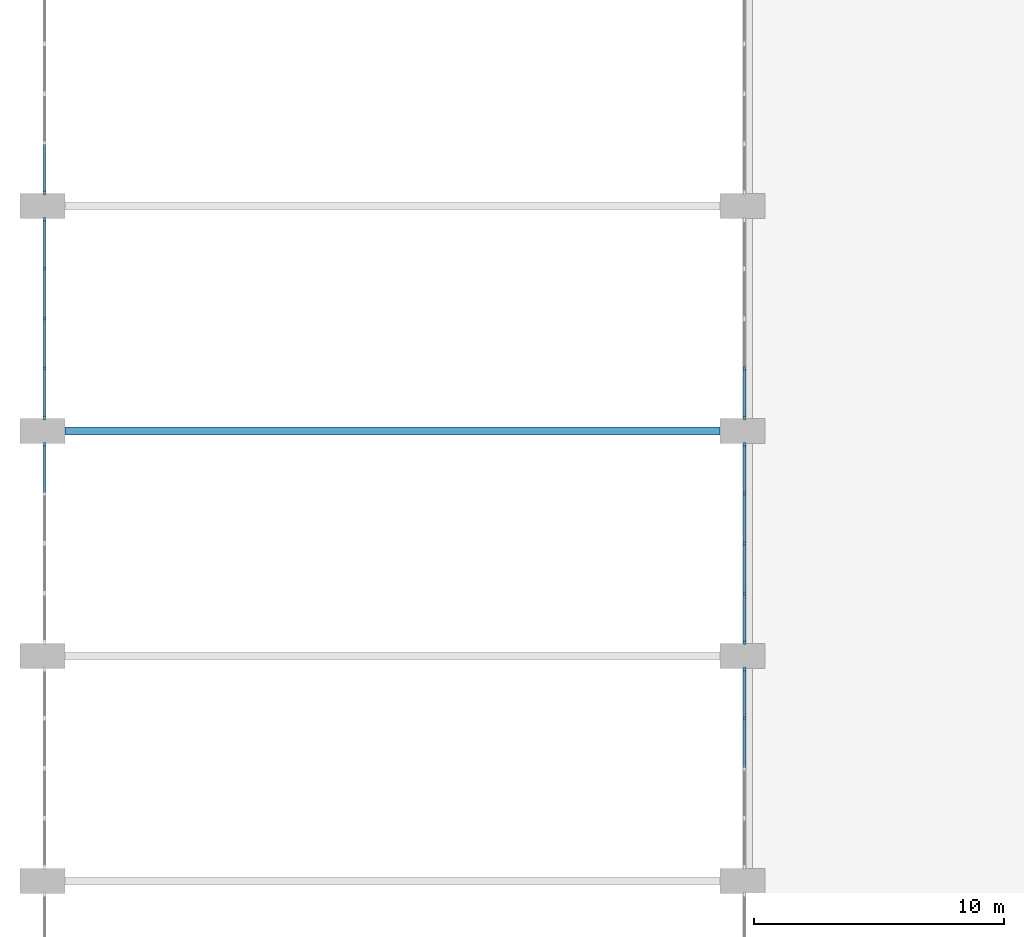
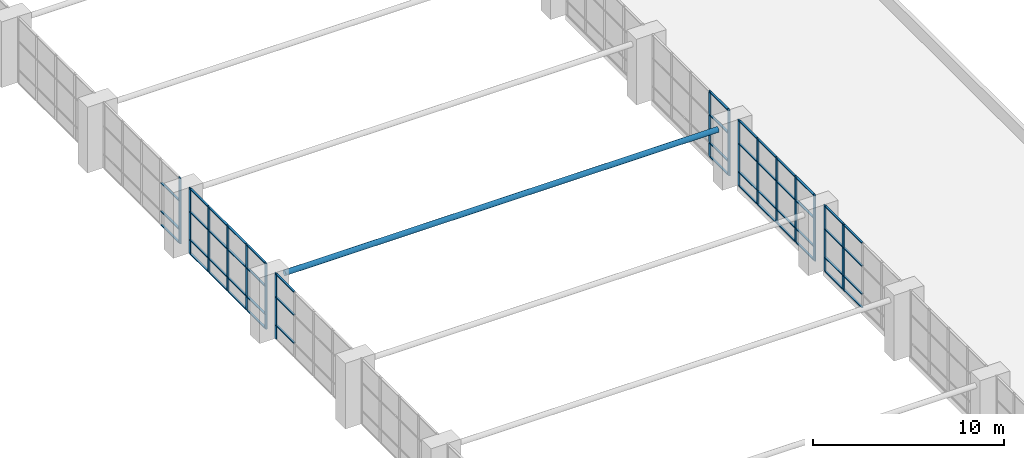
# One storey, part 4 of 21: 67 members, 6 elements without a shape of their own.
"""IFC4 building model written with IfcOpenShell, lengths in metres."""

import ifcopenshell
import ifcopenshell.guid

model = None  # the IFC model being written
_history = None  # IfcOwnerHistory: only IFC2X3 demands one
_inside = {}  # id of a spatial element -> (the spatial element, [elements in it])
_under = {}  # id of a project, library or spatial element -> (it, [spatial elements below it])
_declared = {}  # id of a project -> (the project, [libraries it declares])
_typed = {}  # id of a type object -> (the type object, [elements of that type])
_made_of = {}  # id of a material, layer set ... -> (it, [elements and type objects made of it])


def new_model(schema):
    """Start an empty IFC model of exactly this schema.

    Asked for "IFC4X3", IfcOpenShell would pick the latest addendum, in which some entities
    have other attributes; the version numbers below select the first issue.
    IFC2X3 requires an IfcOwnerHistory on every rooted entity: one is made here for all.
    """
    global model, _history
    if schema == "IFC4X3":
        model = ifcopenshell.file(schema_version=(4, 3, 0, 0))
    else:
        model = ifcopenshell.file(schema=schema)
    _inside.clear()
    _under.clear()
    _declared.clear()
    _typed.clear()
    _made_of.clear()
    _history = None
    if model.schema == "IFC2X3":
        org = make("IfcOrganization", Name="unknown")
        user = make(
            "IfcPersonAndOrganization",
            ThePerson=make("IfcPerson", FamilyName="unknown"),
            TheOrganization=org,
        )
        app = make(
            "IfcApplication",
            ApplicationDeveloper=org,
            Version="unknown",
            ApplicationFullName="unknown",
            ApplicationIdentifier="unknown",
        )
        _history = make(
            "IfcOwnerHistory",
            OwningUser=user,
            OwningApplication=app,
            ChangeAction="ADDED",
            CreationDate=0,
        )
    return model


def make(cls, **values):
    """One entity of the class cls with the attributes given. An attribute that is None is left unset."""
    return model.create_entity(
        cls, **{name: value for name, value in values.items() if value is not None}
    )


def rooted(cls, **values):
    """An entity with a GlobalId (a new one), such as an element, a storey or a relation."""
    return make(cls, GlobalId=ifcopenshell.guid.new(), OwnerHistory=_history, **values)


def si_unit(unit_type, name, prefix=None):
    """IfcSIUnit, for example si_unit("LENGTHUNIT", "METRE", prefix="MILLI")."""
    return make("IfcSIUnit", UnitType=unit_type, Prefix=prefix, Name=name)


def assignment(units):
    """IfcUnitAssignment: the units of a project."""
    return None if units is None else make("IfcUnitAssignment", Units=units)


def point(xyz):
    """IfcCartesianPoint."""
    return None if xyz is None else make("IfcCartesianPoint", Coordinates=xyz)


def direction(xyz):
    """IfcDirection."""
    return None if xyz is None else make("IfcDirection", DirectionRatios=xyz)


def frame(location, z_axis=None, x_axis=None):
    """IfcAxis2Placement3D, a coordinate frame: its origin and axes. An axis left out is left unset."""
    return make(
        "IfcAxis2Placement3D",
        Location=point(location),
        Axis=direction(z_axis),
        RefDirection=direction(x_axis),
    )


def frame_2d(location, x_axis=None):
    """IfcAxis2Placement2D, a coordinate frame in the plane: its origin and x axis."""
    return make(
        "IfcAxis2Placement2D", Location=point(location), RefDirection=direction(x_axis)
    )


def origin():
    """The frame at (0, 0, 0) with its axes left unset."""
    return frame((0.0, 0.0, 0.0))


def origin_2d():
    """The frame at (0, 0) in the plane with its x axis left unset."""
    return frame_2d((0.0, 0.0))


def place(relative_to, where):
    """IfcLocalPlacement: puts the frame where relative to a parent placement (None: the world)."""
    return make(
        "IfcLocalPlacement", PlacementRelTo=relative_to, RelativePlacement=where
    )


def context(
    kind, dimensions, precision=None, world=None, true_north=None, identifier=None
):
    """IfcGeometricRepresentationContext, for example the 3D "Model" context."""
    return make(
        "IfcGeometricRepresentationContext",
        ContextIdentifier=identifier,
        ContextType=kind,
        CoordinateSpaceDimension=dimensions,
        Precision=precision,
        WorldCoordinateSystem=world,
        TrueNorth=true_north,
    )


def subcontext(parent, identifier, kind, view, scale=None):
    """IfcGeometricRepresentationSubContext, for example "Body" below "Model"."""
    return make(
        "IfcGeometricRepresentationSubContext",
        ContextIdentifier=identifier,
        ContextType=kind,
        ParentContext=parent,
        TargetScale=scale,
        TargetView=view,
    )


def project(units=None, contexts=None):
    """IfcProject with its units and contexts."""
    return rooted(
        "IfcProject",
        Name="project",
        RepresentationContexts=contexts,
        UnitsInContext=assignment(units),
    )


def spatial(cls, under=None, at=None, **own):
    """A site, building, storey or space (cls), placed at a placement, below another one or the project."""
    s = rooted(cls, ObjectPlacement=at, **own)
    if under is not None:
        _under.setdefault(under.id(), (under, []))[1].append(s)
    return s


def profile(cls, at=None, kind="AREA", **sizes):
    """A parametric profile (cls). Its sizes go by their IFC names, for example OverallWidth=200.0."""
    return make(cls, ProfileType=kind, Position=at, **sizes)


def rectangle(**sizes):
    """IfcRectangleProfileDef."""
    return profile("IfcRectangleProfileDef", **sizes)


def hollow_circle(**sizes):
    """IfcCircleHollowProfileDef."""
    return profile("IfcCircleHollowProfileDef", **sizes)


def extrude(swept, where, along, depth):
    """IfcExtrudedAreaSolid: the profile swept, set in the frame where, extruded along a direction by depth."""
    return make(
        "IfcExtrudedAreaSolid",
        SweptArea=swept,
        Position=where,
        ExtrudedDirection=direction(along),
        Depth=depth,
    )


def shape(context_of_items, identifier, shape_type, items):
    """IfcShapeRepresentation: the items that make up one representation, for example the "Body"."""
    return make(
        "IfcShapeRepresentation",
        ContextOfItems=context_of_items,
        RepresentationIdentifier=identifier,
        RepresentationType=shape_type,
        Items=items,
    )


def material(Name=None, Category=None):
    """IfcMaterial."""
    return make("IfcMaterial", Name=Name, Category=Category)


def material_profile(
    of_material, cross_section, Name=None, Category=None, Priority=None
):
    """IfcMaterialProfile: a cross section and its material."""
    return make(
        "IfcMaterialProfile",
        Name=Name,
        Material=of_material,
        Profile=cross_section,
        Priority=Priority,
        Category=Category,
    )


def profile_set(profiles, Name=None, composite=None):
    """IfcMaterialProfileSet."""
    return make(
        "IfcMaterialProfileSet",
        Name=Name,
        MaterialProfiles=profiles,
        CompositeProfile=composite,
    )


def made_of(thing, what):
    """Note that an element or type object is made of a material, layer set ...; save() writes the relation."""
    if what is not None:
        _made_of.setdefault(what.id(), (what, []))[1].append(thing)
    return thing


def type_object(cls, material=None, **own):
    """A type object (cls), such as IfcWallType, which elements share."""
    return made_of(rooted(cls, **own), material)


def element(
    cls,
    number,
    at=None,
    inside=None,
    cuts=None,
    type_object=None,
    material=None,
    context=None,
    identifier="Body",
    shape_type=None,
    held_by="IfcProductDefinitionShape",
    body=None,
    shapes=None,
    **own,
):
    """One element of the class cls, such as IfcWall. Its Tag is "e" and its number.

    at: its placement. inside: the storey or other place that contains it. cuts: it is an
    opening in that element (IfcRelVoidsElement). A single representation is given by context,
    identifier, shape_type and body (its items); several are given by shapes. held_by: the class
    of the entity that holds the representations. save() writes the other relations.
    """
    e = rooted(cls, Tag="e%d" % number, ObjectPlacement=at, **own)
    if body is not None:
        shapes = [shape(context, identifier, shape_type, body)]
    if shapes is not None:
        e.Representation = make(held_by, Representations=shapes)
    if inside is not None:
        _inside.setdefault(inside.id(), (inside, []))[1].append(e)
    if cuts is not None:
        rooted(
            "IfcRelVoidsElement", RelatingBuildingElement=cuts, RelatedOpeningElement=e
        )
    if type_object is not None:
        _typed.setdefault(type_object.id(), (type_object, []))[1].append(e)
    return made_of(e, material)


def aggregate(whole, parts):
    """IfcRelAggregates: a whole, such as a stair, and the parts it consists of."""
    return rooted("IfcRelAggregates", RelatingObject=whole, RelatedObjects=parts)


def save(model, path):
    """Write the relations noted so far, then the file.

    IfcRelAggregates (storeys below a building ...), IfcRelContainedInSpatialStructure (elements
    in a storey), IfcRelDefinesByType, IfcRelAssociatesMaterial and IfcRelDeclares: one each for
    every whole, place, type object, material and project.
    """
    for whole, parts in _under.values():
        aggregate(whole, parts)
    for where, things in _inside.values():
        rooted(
            "IfcRelContainedInSpatialStructure",
            RelatedElements=things,
            RelatingStructure=where,
        )
    for kind, things in _typed.values():
        rooted("IfcRelDefinesByType", RelatedObjects=things, RelatingType=kind)
    for what, things in _made_of.values():
        rooted("IfcRelAssociatesMaterial", RelatedObjects=things, RelatingMaterial=what)
    for by, libraries in _declared.values():
        rooted("IfcRelDeclares", RelatingContext=by, RelatedDefinitions=libraries)
    model.write(path)


model = new_model("IFC4")

# Units and contexts
model_context = context("Model", 3, precision=1e-05, world=origin(), true_north=direction((0.0, 1.0)))
body_context = subcontext(model_context, "Body", "Model", "MODEL_VIEW")
ifc_project = project(units=[si_unit("LENGTHUNIT", "METRE"), si_unit("AREAUNIT", "SQUARE_METRE"), si_unit("VOLUMEUNIT", "CUBIC_METRE"), si_unit("PLANEANGLEUNIT", "RADIAN"), si_unit("MASSUNIT", "GRAM", prefix="KILO")], contexts=[model_context])

# Site, building, storey
site_placement = place(None, origin())
site = spatial("IfcSite", under=ifc_project, at=site_placement, CompositionType="ELEMENT")
building_placement = place(site_placement, origin())
building = spatial("IfcBuilding", under=site, at=building_placement, Name="Elmora Arch Market Hall", CompositionType="ELEMENT")
storey_placement = place(building_placement, frame((0.0, 0.0, 14.39990234375)))
storey = spatial("IfcBuildingStorey", under=building, at=storey_placement, Name="L03", CompositionType="ELEMENT", Elevation=14.39990234375)

# Curtain wall, member
ifc_material_1 = material(Name="Aluminium", Category="aluminium")
curtain_wall_type = type_object("IfcCurtainWallType", Name="Hall front curtain wall", PredefinedType="NOTDEFINED", material=ifc_material_1)
curtain_wall_1_placement = place(storey_placement, origin())
curtain_wall_1 = element("IfcCurtainWall", 1, at=curtain_wall_1_placement, inside=storey, type_object=curtain_wall_type, Name="Hall west glazing L03 4", PredefinedType="NOTDEFINED")
ifc_material_2 = material(Name="Aluminium", Category="aluminium")
ifc_material_profile_1 = material_profile(ifc_material_2, rectangle(XDim=0.080078125, YDim=0.179931640625, at=origin_2d()), Name="AL 80x180")
ifc_profile_set_1 = profile_set([ifc_material_profile_1], Name="Aluminium")
member_type_1 = type_object("IfcMemberType", Name="Mullion 80x180", PredefinedType="MULLION", material=ifc_profile_set_1)
member_1_placement = place(storey_placement, frame((15.090087890625, 62.4599609375, 0.0), z_axis=(0.0, 0.0, 1.0), x_axis=(-1.0, 0.0, 0.0)))
member_1 = element("IfcMember", 2, at=member_1_placement, type_object=member_type_1, Name="CW2 mullion 5", PredefinedType="MULLION", context=body_context, shape_type="SweptSolid", body=[
    extrude(rectangle(XDim=0.080078125, YDim=0.179931640625, at=origin_2d()), origin(), (0.0, 0.0, 1.0), 4.2001953125),
])

# Curtain wall, members
curtain_wall_2_placement = place(storey_placement, origin())
curtain_wall_2 = element("IfcCurtainWall", 3, at=curtain_wall_2_placement, inside=storey, type_object=curtain_wall_type, Name="Hall west glazing L03 5", PredefinedType="NOTDEFINED")
member_2_placement = place(storey_placement, frame((15.090087890625, 63.5400390625, 0.0), z_axis=(0.0, 0.0, 1.0), x_axis=(-1.0, 0.0, 0.0)))
member_2 = element("IfcMember", 4, at=member_2_placement, type_object=member_type_1, Name="CW2 mullion 1", PredefinedType="MULLION", context=body_context, shape_type="SweptSolid", body=[
    extrude(rectangle(XDim=0.080078125, YDim=0.179931640625, at=origin_2d()), origin(), (0.0, 0.0, 1.0), 4.2001953125),
])
member_3_placement = place(storey_placement, frame((15.090087890625, 65.5, 0.0), z_axis=(0.0, 0.0, 1.0), x_axis=(-1.0, 0.0, 0.0)))
member_3 = element("IfcMember", 5, at=member_3_placement, type_object=member_type_1, Name="CW2 mullion 2", PredefinedType="MULLION", context=body_context, shape_type="SweptSolid", body=[
    extrude(rectangle(XDim=0.080078125, YDim=0.179931640625, at=origin_2d()), origin(), (0.0, 0.0, 1.0), 4.2001953125),
])
member_4_placement = place(storey_placement, frame((15.090087890625, 67.5, 0.0), z_axis=(0.0, 0.0, 1.0), x_axis=(-1.0, 0.0, 0.0)))
member_4 = element("IfcMember", 6, at=member_4_placement, type_object=member_type_1, Name="CW2 mullion 3", PredefinedType="MULLION", context=body_context, shape_type="SweptSolid", body=[
    extrude(rectangle(XDim=0.080078125, YDim=0.179931640625, at=origin_2d()), origin(), (0.0, 0.0, 1.0), 4.2001953125),
])
member_5_placement = place(storey_placement, frame((15.090087890625, 69.5, 0.0), z_axis=(0.0, 0.0, 1.0), x_axis=(-1.0, 0.0, 0.0)))
member_5 = element("IfcMember", 7, at=member_5_placement, type_object=member_type_1, Name="CW2 mullion 4", PredefinedType="MULLION", context=body_context, shape_type="SweptSolid", body=[
    extrude(rectangle(XDim=0.080078125, YDim=0.179931640625, at=origin_2d()), origin(), (0.0, 0.0, 1.0), 4.2001953125),
])
member_6_placement = place(storey_placement, frame((15.090087890625, 71.4599609375, 0.0), z_axis=(0.0, 0.0, 1.0), x_axis=(-1.0, 0.0, 0.0)))
member_6 = element("IfcMember", 8, at=member_6_placement, type_object=member_type_1, Name="CW2 mullion 5", PredefinedType="MULLION", context=body_context, shape_type="SweptSolid", body=[
    extrude(rectangle(XDim=0.080078125, YDim=0.179931640625, at=origin_2d()), origin(), (0.0, 0.0, 1.0), 4.2001953125),
])

# Curtain wall, member
curtain_wall_3_placement = place(storey_placement, origin())
curtain_wall_3 = element("IfcCurtainWall", 9, at=curtain_wall_3_placement, inside=storey, type_object=curtain_wall_type, Name="Hall west glazing L03 6", PredefinedType="NOTDEFINED")
member_7_placement = place(storey_placement, frame((15.090087890625, 72.5400390625, 0.0), z_axis=(0.0, 0.0, 1.0), x_axis=(-1.0, 0.0, 0.0)))
member_7 = element("IfcMember", 10, at=member_7_placement, type_object=member_type_1, Name="CW2 mullion 1", PredefinedType="MULLION", context=body_context, shape_type="SweptSolid", body=[
    extrude(rectangle(XDim=0.080078125, YDim=0.179931640625, at=origin_2d()), origin(), (0.0, 0.0, 1.0), 4.2001953125),
])

# Curtain wall, members
curtain_wall_4_placement = place(storey_placement, origin())
curtain_wall_4 = element("IfcCurtainWall", 11, at=curtain_wall_4_placement, inside=storey, type_object=curtain_wall_type, Name="Hall east glazing L03 3", PredefinedType="NOTDEFINED")
member_8_placement = place(storey_placement, frame((43.090087890625, 51.5, 0.0), z_axis=(0.0, 0.0, 1.0), x_axis=(-1.0, 0.0, 0.0)))
member_8 = element("IfcMember", 12, at=member_8_placement, type_object=member_type_1, Name="CW2 mullion 4", PredefinedType="MULLION", context=body_context, shape_type="SweptSolid", body=[
    extrude(rectangle(XDim=0.080078125, YDim=0.179931640625, at=origin_2d()), origin(), (0.0, 0.0, 1.0), 4.2001953125),
])
member_9_placement = place(storey_placement, frame((43.090087890625, 53.4599609375, 0.0), z_axis=(0.0, 0.0, 1.0), x_axis=(-1.0, 0.0, 0.0)))
member_9 = element("IfcMember", 13, at=member_9_placement, type_object=member_type_1, Name="CW2 mullion 5", PredefinedType="MULLION", context=body_context, shape_type="SweptSolid", body=[
    extrude(rectangle(XDim=0.080078125, YDim=0.179931640625, at=origin_2d()), origin(), (0.0, 0.0, 1.0), 4.2001953125),
])

curtain_wall_5_placement = place(storey_placement, origin())
curtain_wall_5 = element("IfcCurtainWall", 14, at=curtain_wall_5_placement, inside=storey, type_object=curtain_wall_type, Name="Hall east glazing L03 4", PredefinedType="NOTDEFINED")
member_10_placement = place(storey_placement, frame((43.090087890625, 54.5400390625, 0.0), z_axis=(0.0, 0.0, 1.0), x_axis=(-1.0, 0.0, 0.0)))
member_10 = element("IfcMember", 15, at=member_10_placement, type_object=member_type_1, Name="CW2 mullion 1", PredefinedType="MULLION", context=body_context, shape_type="SweptSolid", body=[
    extrude(rectangle(XDim=0.080078125, YDim=0.179931640625, at=origin_2d()), origin(), (0.0, 0.0, 1.0), 4.2001953125),
])
member_11_placement = place(storey_placement, frame((43.090087890625, 56.5, 0.0), z_axis=(0.0, 0.0, 1.0), x_axis=(-1.0, 0.0, 0.0)))
member_11 = element("IfcMember", 16, at=member_11_placement, type_object=member_type_1, Name="CW2 mullion 2", PredefinedType="MULLION", context=body_context, shape_type="SweptSolid", body=[
    extrude(rectangle(XDim=0.080078125, YDim=0.179931640625, at=origin_2d()), origin(), (0.0, 0.0, 1.0), 4.2001953125),
])
member_12_placement = place(storey_placement, frame((43.090087890625, 58.5, 0.0), z_axis=(0.0, 0.0, 1.0), x_axis=(-1.0, 0.0, 0.0)))
member_12 = element("IfcMember", 17, at=member_12_placement, type_object=member_type_1, Name="CW2 mullion 3", PredefinedType="MULLION", context=body_context, shape_type="SweptSolid", body=[
    extrude(rectangle(XDim=0.080078125, YDim=0.179931640625, at=origin_2d()), origin(), (0.0, 0.0, 1.0), 4.2001953125),
])
member_13_placement = place(storey_placement, frame((43.090087890625, 60.5, 0.0), z_axis=(0.0, 0.0, 1.0), x_axis=(-1.0, 0.0, 0.0)))
member_13 = element("IfcMember", 18, at=member_13_placement, type_object=member_type_1, Name="CW2 mullion 4", PredefinedType="MULLION", context=body_context, shape_type="SweptSolid", body=[
    extrude(rectangle(XDim=0.080078125, YDim=0.179931640625, at=origin_2d()), origin(), (0.0, 0.0, 1.0), 4.2001953125),
])
member_14_placement = place(storey_placement, frame((43.090087890625, 62.4599609375, 0.0), z_axis=(0.0, 0.0, 1.0), x_axis=(-1.0, 0.0, 0.0)))
member_14 = element("IfcMember", 19, at=member_14_placement, type_object=member_type_1, Name="CW2 mullion 5", PredefinedType="MULLION", context=body_context, shape_type="SweptSolid", body=[
    extrude(rectangle(XDim=0.080078125, YDim=0.179931640625, at=origin_2d()), origin(), (0.0, 0.0, 1.0), 4.2001953125),
])

curtain_wall_6_placement = place(storey_placement, origin())
curtain_wall_6 = element("IfcCurtainWall", 20, at=curtain_wall_6_placement, inside=storey, type_object=curtain_wall_type, Name="Hall east glazing L03 5", PredefinedType="NOTDEFINED")
member_15_placement = place(storey_placement, frame((43.090087890625, 63.5400390625, 0.0), z_axis=(0.0, 0.0, 1.0), x_axis=(-1.0, 0.0, 0.0)))
member_15 = element("IfcMember", 21, at=member_15_placement, type_object=member_type_1, Name="CW2 mullion 1", PredefinedType="MULLION", context=body_context, shape_type="SweptSolid", body=[
    extrude(rectangle(XDim=0.080078125, YDim=0.179931640625, at=origin_2d()), origin(), (0.0, 0.0, 1.0), 4.2001953125),
])
member_16_placement = place(storey_placement, frame((43.090087890625, 65.5, 0.0), z_axis=(0.0, 0.0, 1.0), x_axis=(-1.0, 0.0, 0.0)))
member_16 = element("IfcMember", 22, at=member_16_placement, type_object=member_type_1, Name="CW2 mullion 2", PredefinedType="MULLION", context=body_context, shape_type="SweptSolid", body=[
    extrude(rectangle(XDim=0.080078125, YDim=0.179931640625, at=origin_2d()), origin(), (0.0, 0.0, 1.0), 4.2001953125),
])

# Member
ifc_material_3 = material(Name="Steel ASTM A500 Gr C", Category="steel")
ifc_material_profile_2 = material_profile(ifc_material_3, hollow_circle(Radius=0.161865234375, WallThickness=0.0126953125, at=origin_2d()), Name="Tie rod")
ifc_profile_set_2 = profile_set([ifc_material_profile_2], Name="Steel ASTM A500 Gr C")
member_type_2 = type_object("IfcMemberType", Name="Tie rod", PredefinedType="USERDEFINED", material=ifc_profile_set_2)
member_17_placement = place(storey_placement, frame((15.89990234375, 63.0, 3.60009765625), z_axis=(1.0, 0.0, 0.0), x_axis=(0.0, 1.0, 0.0)))
element("IfcMember", 23, at=member_17_placement, inside=storey, type_object=member_type_2, Name="Tie rod 05", ObjectType="TIE ROD", PredefinedType="USERDEFINED", context=body_context, shape_type="SweptSolid", body=[
    extrude(hollow_circle(Radius=0.161865234375, WallThickness=0.0126953125, at=origin_2d()), origin(), (0.0, 0.0, 1.0), 26.2001953125),
])

ifc_material_4 = material(Name="Aluminium", Category="aluminium")
ifc_material_profile_3 = material_profile(ifc_material_4, rectangle(XDim=0.1201171875, YDim=0.06005859375, at=origin_2d()), Name="AL 120x60")
ifc_profile_set_3 = profile_set([ifc_material_profile_3], Name="Aluminium")
member_type_3 = type_object("IfcMemberType", Name="Transom 120x60", PredefinedType="USERDEFINED", material=ifc_profile_set_3)
member_18_placement = place(storey_placement, frame((15.090087890625, 60.5400390625, 0.900146484375), z_axis=(0.0, 1.0, 0.0), x_axis=(-1.0, 0.0, 0.0)))
member_18 = element("IfcMember", 24, at=member_18_placement, type_object=member_type_3, Name="CW2 transom 4.2", ObjectType="TRANSOM", PredefinedType="USERDEFINED", context=body_context, shape_type="SweptSolid", body=[
    extrude(rectangle(XDim=0.1201171875, YDim=0.06005859375, at=origin_2d()), origin(), (0.0, 0.0, 1.0), 1.8798828125),
])

member_19_placement = place(storey_placement, frame((15.090087890625, 60.5400390625, 2.7001953125), z_axis=(0.0, 1.0, 0.0), x_axis=(-1.0, 0.0, 0.0)))
member_19 = element("IfcMember", 25, at=member_19_placement, type_object=member_type_3, Name="CW2 transom 4.3", ObjectType="TRANSOM", PredefinedType="USERDEFINED", context=body_context, shape_type="SweptSolid", body=[
    extrude(rectangle(XDim=0.1201171875, YDim=0.06005859375, at=origin_2d()), origin(), (0.0, 0.0, 1.0), 1.8798828125),
])

member_20_placement = place(storey_placement, frame((15.090087890625, 60.5400390625, 4.170166015625), z_axis=(0.0, 1.0, 0.0), x_axis=(-1.0, 0.0, 0.0)))
member_20 = element("IfcMember", 26, at=member_20_placement, type_object=member_type_3, Name="CW2 transom 4.4", ObjectType="TRANSOM", PredefinedType="USERDEFINED", context=body_context, shape_type="SweptSolid", body=[
    extrude(rectangle(XDim=0.1201171875, YDim=0.06005859375, at=origin_2d()), origin(), (0.0, 0.0, 1.0), 1.8798828125),
])

aggregate(curtain_wall_1, [member_1, member_18, member_19, member_20])

member_21_placement = place(storey_placement, frame((15.090087890625, 63.580078125, 0.030029296875), z_axis=(0.0, 1.0, 0.0), x_axis=(-1.0, 0.0, 0.0)))
member_21 = element("IfcMember", 27, at=member_21_placement, type_object=member_type_3, Name="CW2 transom 1.1", ObjectType="TRANSOM", PredefinedType="USERDEFINED", context=body_context, shape_type="SweptSolid", body=[
    extrude(rectangle(XDim=0.1201171875, YDim=0.06005859375, at=origin_2d()), origin(), (0.0, 0.0, 1.0), 1.8798828125),
])

member_22_placement = place(storey_placement, frame((15.090087890625, 63.580078125, 0.900146484375), z_axis=(0.0, 1.0, 0.0), x_axis=(-1.0, 0.0, 0.0)))
member_22 = element("IfcMember", 28, at=member_22_placement, type_object=member_type_3, Name="CW2 transom 1.2", ObjectType="TRANSOM", PredefinedType="USERDEFINED", context=body_context, shape_type="SweptSolid", body=[
    extrude(rectangle(XDim=0.1201171875, YDim=0.06005859375, at=origin_2d()), origin(), (0.0, 0.0, 1.0), 1.8798828125),
])

member_23_placement = place(storey_placement, frame((15.090087890625, 63.580078125, 2.7001953125), z_axis=(0.0, 1.0, 0.0), x_axis=(-1.0, 0.0, 0.0)))
member_23 = element("IfcMember", 29, at=member_23_placement, type_object=member_type_3, Name="CW2 transom 1.3", ObjectType="TRANSOM", PredefinedType="USERDEFINED", context=body_context, shape_type="SweptSolid", body=[
    extrude(rectangle(XDim=0.1201171875, YDim=0.06005859375, at=origin_2d()), origin(), (0.0, 0.0, 1.0), 1.8798828125),
])

member_24_placement = place(storey_placement, frame((15.090087890625, 63.580078125, 4.170166015625), z_axis=(0.0, 1.0, 0.0), x_axis=(-1.0, 0.0, 0.0)))
member_24 = element("IfcMember", 30, at=member_24_placement, type_object=member_type_3, Name="CW2 transom 1.4", ObjectType="TRANSOM", PredefinedType="USERDEFINED", context=body_context, shape_type="SweptSolid", body=[
    extrude(rectangle(XDim=0.1201171875, YDim=0.06005859375, at=origin_2d()), origin(), (0.0, 0.0, 1.0), 1.8798828125),
])

member_25_placement = place(storey_placement, frame((15.090087890625, 65.5400390625, 0.030029296875), z_axis=(0.0, 1.0, 0.0), x_axis=(-1.0, 0.0, 0.0)))
member_25 = element("IfcMember", 31, at=member_25_placement, type_object=member_type_3, Name="CW2 transom 2.1", ObjectType="TRANSOM", PredefinedType="USERDEFINED", context=body_context, shape_type="SweptSolid", body=[
    extrude(rectangle(XDim=0.1201171875, YDim=0.06005859375, at=origin_2d()), origin(), (0.0, 0.0, 1.0), 1.919921875),
])

member_26_placement = place(storey_placement, frame((15.090087890625, 65.5400390625, 0.900146484375), z_axis=(0.0, 1.0, 0.0), x_axis=(-1.0, 0.0, 0.0)))
member_26 = element("IfcMember", 32, at=member_26_placement, type_object=member_type_3, Name="CW2 transom 2.2", ObjectType="TRANSOM", PredefinedType="USERDEFINED", context=body_context, shape_type="SweptSolid", body=[
    extrude(rectangle(XDim=0.1201171875, YDim=0.06005859375, at=origin_2d()), origin(), (0.0, 0.0, 1.0), 1.919921875),
])

member_27_placement = place(storey_placement, frame((15.090087890625, 65.5400390625, 2.7001953125), z_axis=(0.0, 1.0, 0.0), x_axis=(-1.0, 0.0, 0.0)))
member_27 = element("IfcMember", 33, at=member_27_placement, type_object=member_type_3, Name="CW2 transom 2.3", ObjectType="TRANSOM", PredefinedType="USERDEFINED", context=body_context, shape_type="SweptSolid", body=[
    extrude(rectangle(XDim=0.1201171875, YDim=0.06005859375, at=origin_2d()), origin(), (0.0, 0.0, 1.0), 1.919921875),
])

member_28_placement = place(storey_placement, frame((15.090087890625, 65.5400390625, 4.170166015625), z_axis=(0.0, 1.0, 0.0), x_axis=(-1.0, 0.0, 0.0)))
member_28 = element("IfcMember", 34, at=member_28_placement, type_object=member_type_3, Name="CW2 transom 2.4", ObjectType="TRANSOM", PredefinedType="USERDEFINED", context=body_context, shape_type="SweptSolid", body=[
    extrude(rectangle(XDim=0.1201171875, YDim=0.06005859375, at=origin_2d()), origin(), (0.0, 0.0, 1.0), 1.919921875),
])

member_29_placement = place(storey_placement, frame((15.090087890625, 67.5400390625, 0.030029296875), z_axis=(0.0, 1.0, 0.0), x_axis=(-1.0, 0.0, 0.0)))
member_29 = element("IfcMember", 35, at=member_29_placement, type_object=member_type_3, Name="CW2 transom 3.1", ObjectType="TRANSOM", PredefinedType="USERDEFINED", context=body_context, shape_type="SweptSolid", body=[
    extrude(rectangle(XDim=0.1201171875, YDim=0.06005859375, at=origin_2d()), origin(), (0.0, 0.0, 1.0), 1.919921875),
])

member_30_placement = place(storey_placement, frame((15.090087890625, 67.5400390625, 0.900146484375), z_axis=(0.0, 1.0, 0.0), x_axis=(-1.0, 0.0, 0.0)))
member_30 = element("IfcMember", 36, at=member_30_placement, type_object=member_type_3, Name="CW2 transom 3.2", ObjectType="TRANSOM", PredefinedType="USERDEFINED", context=body_context, shape_type="SweptSolid", body=[
    extrude(rectangle(XDim=0.1201171875, YDim=0.06005859375, at=origin_2d()), origin(), (0.0, 0.0, 1.0), 1.919921875),
])

member_31_placement = place(storey_placement, frame((15.090087890625, 67.5400390625, 2.7001953125), z_axis=(0.0, 1.0, 0.0), x_axis=(-1.0, 0.0, 0.0)))
member_31 = element("IfcMember", 37, at=member_31_placement, type_object=member_type_3, Name="CW2 transom 3.3", ObjectType="TRANSOM", PredefinedType="USERDEFINED", context=body_context, shape_type="SweptSolid", body=[
    extrude(rectangle(XDim=0.1201171875, YDim=0.06005859375, at=origin_2d()), origin(), (0.0, 0.0, 1.0), 1.919921875),
])

member_32_placement = place(storey_placement, frame((15.090087890625, 67.5400390625, 4.170166015625), z_axis=(0.0, 1.0, 0.0), x_axis=(-1.0, 0.0, 0.0)))
member_32 = element("IfcMember", 38, at=member_32_placement, type_object=member_type_3, Name="CW2 transom 3.4", ObjectType="TRANSOM", PredefinedType="USERDEFINED", context=body_context, shape_type="SweptSolid", body=[
    extrude(rectangle(XDim=0.1201171875, YDim=0.06005859375, at=origin_2d()), origin(), (0.0, 0.0, 1.0), 1.919921875),
])

member_33_placement = place(storey_placement, frame((15.090087890625, 69.5400390625, 0.030029296875), z_axis=(0.0, 1.0, 0.0), x_axis=(-1.0, 0.0, 0.0)))
member_33 = element("IfcMember", 39, at=member_33_placement, type_object=member_type_3, Name="CW2 transom 4.1", ObjectType="TRANSOM", PredefinedType="USERDEFINED", context=body_context, shape_type="SweptSolid", body=[
    extrude(rectangle(XDim=0.1201171875, YDim=0.06005859375, at=origin_2d()), origin(), (0.0, 0.0, 1.0), 1.8798828125),
])

member_34_placement = place(storey_placement, frame((15.090087890625, 69.5400390625, 0.900146484375), z_axis=(0.0, 1.0, 0.0), x_axis=(-1.0, 0.0, 0.0)))
member_34 = element("IfcMember", 40, at=member_34_placement, type_object=member_type_3, Name="CW2 transom 4.2", ObjectType="TRANSOM", PredefinedType="USERDEFINED", context=body_context, shape_type="SweptSolid", body=[
    extrude(rectangle(XDim=0.1201171875, YDim=0.06005859375, at=origin_2d()), origin(), (0.0, 0.0, 1.0), 1.8798828125),
])

member_35_placement = place(storey_placement, frame((15.090087890625, 69.5400390625, 2.7001953125), z_axis=(0.0, 1.0, 0.0), x_axis=(-1.0, 0.0, 0.0)))
member_35 = element("IfcMember", 41, at=member_35_placement, type_object=member_type_3, Name="CW2 transom 4.3", ObjectType="TRANSOM", PredefinedType="USERDEFINED", context=body_context, shape_type="SweptSolid", body=[
    extrude(rectangle(XDim=0.1201171875, YDim=0.06005859375, at=origin_2d()), origin(), (0.0, 0.0, 1.0), 1.8798828125),
])

member_36_placement = place(storey_placement, frame((15.090087890625, 69.5400390625, 4.170166015625), z_axis=(0.0, 1.0, 0.0), x_axis=(-1.0, 0.0, 0.0)))
member_36 = element("IfcMember", 42, at=member_36_placement, type_object=member_type_3, Name="CW2 transom 4.4", ObjectType="TRANSOM", PredefinedType="USERDEFINED", context=body_context, shape_type="SweptSolid", body=[
    extrude(rectangle(XDim=0.1201171875, YDim=0.06005859375, at=origin_2d()), origin(), (0.0, 0.0, 1.0), 1.8798828125),
])

aggregate(curtain_wall_2, [member_2, member_3, member_4, member_5, member_6, member_21, member_22, member_23, member_24, member_25, member_26, member_27, member_28, member_29, member_30, member_31, member_32, member_33, member_34, member_35, member_36])

member_37_placement = place(storey_placement, frame((15.090087890625, 72.580078125, 0.030029296875), z_axis=(0.0, 1.0, 0.0), x_axis=(-1.0, 0.0, 0.0)))
member_37 = element("IfcMember", 43, at=member_37_placement, type_object=member_type_3, Name="CW2 transom 1.1", ObjectType="TRANSOM", PredefinedType="USERDEFINED", context=body_context, shape_type="SweptSolid", body=[
    extrude(rectangle(XDim=0.1201171875, YDim=0.06005859375, at=origin_2d()), origin(), (0.0, 0.0, 1.0), 1.8798828125),
])

member_38_placement = place(storey_placement, frame((15.090087890625, 72.580078125, 0.900146484375), z_axis=(0.0, 1.0, 0.0), x_axis=(-1.0, 0.0, 0.0)))
member_38 = element("IfcMember", 44, at=member_38_placement, type_object=member_type_3, Name="CW2 transom 1.2", ObjectType="TRANSOM", PredefinedType="USERDEFINED", context=body_context, shape_type="SweptSolid", body=[
    extrude(rectangle(XDim=0.1201171875, YDim=0.06005859375, at=origin_2d()), origin(), (0.0, 0.0, 1.0), 1.8798828125),
])

member_39_placement = place(storey_placement, frame((15.090087890625, 72.580078125, 2.7001953125), z_axis=(0.0, 1.0, 0.0), x_axis=(-1.0, 0.0, 0.0)))
member_39 = element("IfcMember", 45, at=member_39_placement, type_object=member_type_3, Name="CW2 transom 1.3", ObjectType="TRANSOM", PredefinedType="USERDEFINED", context=body_context, shape_type="SweptSolid", body=[
    extrude(rectangle(XDim=0.1201171875, YDim=0.06005859375, at=origin_2d()), origin(), (0.0, 0.0, 1.0), 1.8798828125),
])

aggregate(curtain_wall_3, [member_7, member_37, member_38, member_39])

member_40_placement = place(storey_placement, frame((43.090087890625, 49.5400390625, 0.030029296875), z_axis=(0.0, 1.0, 0.0), x_axis=(-1.0, 0.0, 0.0)))
member_40 = element("IfcMember", 46, at=member_40_placement, type_object=member_type_3, Name="CW2 transom 3.1", ObjectType="TRANSOM", PredefinedType="USERDEFINED", context=body_context, shape_type="SweptSolid", body=[
    extrude(rectangle(XDim=0.1201171875, YDim=0.06005859375, at=origin_2d()), origin(), (0.0, 0.0, 1.0), 1.919921875),
])

member_41_placement = place(storey_placement, frame((43.090087890625, 49.5400390625, 0.900146484375), z_axis=(0.0, 1.0, 0.0), x_axis=(-1.0, 0.0, 0.0)))
member_41 = element("IfcMember", 47, at=member_41_placement, type_object=member_type_3, Name="CW2 transom 3.2", ObjectType="TRANSOM", PredefinedType="USERDEFINED", context=body_context, shape_type="SweptSolid", body=[
    extrude(rectangle(XDim=0.1201171875, YDim=0.06005859375, at=origin_2d()), origin(), (0.0, 0.0, 1.0), 1.919921875),
])

member_42_placement = place(storey_placement, frame((43.090087890625, 49.5400390625, 2.7001953125), z_axis=(0.0, 1.0, 0.0), x_axis=(-1.0, 0.0, 0.0)))
member_42 = element("IfcMember", 48, at=member_42_placement, type_object=member_type_3, Name="CW2 transom 3.3", ObjectType="TRANSOM", PredefinedType="USERDEFINED", context=body_context, shape_type="SweptSolid", body=[
    extrude(rectangle(XDim=0.1201171875, YDim=0.06005859375, at=origin_2d()), origin(), (0.0, 0.0, 1.0), 1.919921875),
])

member_43_placement = place(storey_placement, frame((43.090087890625, 49.5400390625, 4.170166015625), z_axis=(0.0, 1.0, 0.0), x_axis=(-1.0, 0.0, 0.0)))
member_43 = element("IfcMember", 49, at=member_43_placement, type_object=member_type_3, Name="CW2 transom 3.4", ObjectType="TRANSOM", PredefinedType="USERDEFINED", context=body_context, shape_type="SweptSolid", body=[
    extrude(rectangle(XDim=0.1201171875, YDim=0.06005859375, at=origin_2d()), origin(), (0.0, 0.0, 1.0), 1.919921875),
])

member_44_placement = place(storey_placement, frame((43.090087890625, 51.5400390625, 0.030029296875), z_axis=(0.0, 1.0, 0.0), x_axis=(-1.0, 0.0, 0.0)))
member_44 = element("IfcMember", 50, at=member_44_placement, type_object=member_type_3, Name="CW2 transom 4.1", ObjectType="TRANSOM", PredefinedType="USERDEFINED", context=body_context, shape_type="SweptSolid", body=[
    extrude(rectangle(XDim=0.1201171875, YDim=0.06005859375, at=origin_2d()), origin(), (0.0, 0.0, 1.0), 1.8798828125),
])

member_45_placement = place(storey_placement, frame((43.090087890625, 51.5400390625, 0.900146484375), z_axis=(0.0, 1.0, 0.0), x_axis=(-1.0, 0.0, 0.0)))
member_45 = element("IfcMember", 51, at=member_45_placement, type_object=member_type_3, Name="CW2 transom 4.2", ObjectType="TRANSOM", PredefinedType="USERDEFINED", context=body_context, shape_type="SweptSolid", body=[
    extrude(rectangle(XDim=0.1201171875, YDim=0.06005859375, at=origin_2d()), origin(), (0.0, 0.0, 1.0), 1.8798828125),
])

member_46_placement = place(storey_placement, frame((43.090087890625, 51.5400390625, 2.7001953125), z_axis=(0.0, 1.0, 0.0), x_axis=(-1.0, 0.0, 0.0)))
member_46 = element("IfcMember", 52, at=member_46_placement, type_object=member_type_3, Name="CW2 transom 4.3", ObjectType="TRANSOM", PredefinedType="USERDEFINED", context=body_context, shape_type="SweptSolid", body=[
    extrude(rectangle(XDim=0.1201171875, YDim=0.06005859375, at=origin_2d()), origin(), (0.0, 0.0, 1.0), 1.8798828125),
])

member_47_placement = place(storey_placement, frame((43.090087890625, 51.5400390625, 4.170166015625), z_axis=(0.0, 1.0, 0.0), x_axis=(-1.0, 0.0, 0.0)))
member_47 = element("IfcMember", 53, at=member_47_placement, type_object=member_type_3, Name="CW2 transom 4.4", ObjectType="TRANSOM", PredefinedType="USERDEFINED", context=body_context, shape_type="SweptSolid", body=[
    extrude(rectangle(XDim=0.1201171875, YDim=0.06005859375, at=origin_2d()), origin(), (0.0, 0.0, 1.0), 1.8798828125),
])

aggregate(curtain_wall_4, [member_8, member_9, member_40, member_41, member_42, member_43, member_44, member_45, member_46, member_47])

member_48_placement = place(storey_placement, frame((43.090087890625, 54.580078125, 0.030029296875), z_axis=(0.0, 1.0, 0.0), x_axis=(-1.0, 0.0, 0.0)))
member_48 = element("IfcMember", 54, at=member_48_placement, type_object=member_type_3, Name="CW2 transom 1.1", ObjectType="TRANSOM", PredefinedType="USERDEFINED", context=body_context, shape_type="SweptSolid", body=[
    extrude(rectangle(XDim=0.1201171875, YDim=0.06005859375, at=origin_2d()), origin(), (0.0, 0.0, 1.0), 1.8798828125),
])

member_49_placement = place(storey_placement, frame((43.090087890625, 54.580078125, 0.900146484375), z_axis=(0.0, 1.0, 0.0), x_axis=(-1.0, 0.0, 0.0)))
member_49 = element("IfcMember", 55, at=member_49_placement, type_object=member_type_3, Name="CW2 transom 1.2", ObjectType="TRANSOM", PredefinedType="USERDEFINED", context=body_context, shape_type="SweptSolid", body=[
    extrude(rectangle(XDim=0.1201171875, YDim=0.06005859375, at=origin_2d()), origin(), (0.0, 0.0, 1.0), 1.8798828125),
])

member_50_placement = place(storey_placement, frame((43.090087890625, 54.580078125, 2.7001953125), z_axis=(0.0, 1.0, 0.0), x_axis=(-1.0, 0.0, 0.0)))
member_50 = element("IfcMember", 56, at=member_50_placement, type_object=member_type_3, Name="CW2 transom 1.3", ObjectType="TRANSOM", PredefinedType="USERDEFINED", context=body_context, shape_type="SweptSolid", body=[
    extrude(rectangle(XDim=0.1201171875, YDim=0.06005859375, at=origin_2d()), origin(), (0.0, 0.0, 1.0), 1.8798828125),
])

member_51_placement = place(storey_placement, frame((43.090087890625, 54.580078125, 4.170166015625), z_axis=(0.0, 1.0, 0.0), x_axis=(-1.0, 0.0, 0.0)))
member_51 = element("IfcMember", 57, at=member_51_placement, type_object=member_type_3, Name="CW2 transom 1.4", ObjectType="TRANSOM", PredefinedType="USERDEFINED", context=body_context, shape_type="SweptSolid", body=[
    extrude(rectangle(XDim=0.1201171875, YDim=0.06005859375, at=origin_2d()), origin(), (0.0, 0.0, 1.0), 1.8798828125),
])

member_52_placement = place(storey_placement, frame((43.090087890625, 56.5400390625, 0.030029296875), z_axis=(0.0, 1.0, 0.0), x_axis=(-1.0, 0.0, 0.0)))
member_52 = element("IfcMember", 58, at=member_52_placement, type_object=member_type_3, Name="CW2 transom 2.1", ObjectType="TRANSOM", PredefinedType="USERDEFINED", context=body_context, shape_type="SweptSolid", body=[
    extrude(rectangle(XDim=0.1201171875, YDim=0.06005859375, at=origin_2d()), origin(), (0.0, 0.0, 1.0), 1.919921875),
])

member_53_placement = place(storey_placement, frame((43.090087890625, 56.5400390625, 0.900146484375), z_axis=(0.0, 1.0, 0.0), x_axis=(-1.0, 0.0, 0.0)))
member_53 = element("IfcMember", 59, at=member_53_placement, type_object=member_type_3, Name="CW2 transom 2.2", ObjectType="TRANSOM", PredefinedType="USERDEFINED", context=body_context, shape_type="SweptSolid", body=[
    extrude(rectangle(XDim=0.1201171875, YDim=0.06005859375, at=origin_2d()), origin(), (0.0, 0.0, 1.0), 1.919921875),
])

member_54_placement = place(storey_placement, frame((43.090087890625, 56.5400390625, 2.7001953125), z_axis=(0.0, 1.0, 0.0), x_axis=(-1.0, 0.0, 0.0)))
member_54 = element("IfcMember", 60, at=member_54_placement, type_object=member_type_3, Name="CW2 transom 2.3", ObjectType="TRANSOM", PredefinedType="USERDEFINED", context=body_context, shape_type="SweptSolid", body=[
    extrude(rectangle(XDim=0.1201171875, YDim=0.06005859375, at=origin_2d()), origin(), (0.0, 0.0, 1.0), 1.919921875),
])

member_55_placement = place(storey_placement, frame((43.090087890625, 56.5400390625, 4.170166015625), z_axis=(0.0, 1.0, 0.0), x_axis=(-1.0, 0.0, 0.0)))
member_55 = element("IfcMember", 61, at=member_55_placement, type_object=member_type_3, Name="CW2 transom 2.4", ObjectType="TRANSOM", PredefinedType="USERDEFINED", context=body_context, shape_type="SweptSolid", body=[
    extrude(rectangle(XDim=0.1201171875, YDim=0.06005859375, at=origin_2d()), origin(), (0.0, 0.0, 1.0), 1.919921875),
])

member_56_placement = place(storey_placement, frame((43.090087890625, 58.5400390625, 0.030029296875), z_axis=(0.0, 1.0, 0.0), x_axis=(-1.0, 0.0, 0.0)))
member_56 = element("IfcMember", 62, at=member_56_placement, type_object=member_type_3, Name="CW2 transom 3.1", ObjectType="TRANSOM", PredefinedType="USERDEFINED", context=body_context, shape_type="SweptSolid", body=[
    extrude(rectangle(XDim=0.1201171875, YDim=0.06005859375, at=origin_2d()), origin(), (0.0, 0.0, 1.0), 1.919921875),
])

member_57_placement = place(storey_placement, frame((43.090087890625, 58.5400390625, 0.900146484375), z_axis=(0.0, 1.0, 0.0), x_axis=(-1.0, 0.0, 0.0)))
member_57 = element("IfcMember", 63, at=member_57_placement, type_object=member_type_3, Name="CW2 transom 3.2", ObjectType="TRANSOM", PredefinedType="USERDEFINED", context=body_context, shape_type="SweptSolid", body=[
    extrude(rectangle(XDim=0.1201171875, YDim=0.06005859375, at=origin_2d()), origin(), (0.0, 0.0, 1.0), 1.919921875),
])

member_58_placement = place(storey_placement, frame((43.090087890625, 58.5400390625, 2.7001953125), z_axis=(0.0, 1.0, 0.0), x_axis=(-1.0, 0.0, 0.0)))
member_58 = element("IfcMember", 64, at=member_58_placement, type_object=member_type_3, Name="CW2 transom 3.3", ObjectType="TRANSOM", PredefinedType="USERDEFINED", context=body_context, shape_type="SweptSolid", body=[
    extrude(rectangle(XDim=0.1201171875, YDim=0.06005859375, at=origin_2d()), origin(), (0.0, 0.0, 1.0), 1.919921875),
])

member_59_placement = place(storey_placement, frame((43.090087890625, 58.5400390625, 4.170166015625), z_axis=(0.0, 1.0, 0.0), x_axis=(-1.0, 0.0, 0.0)))
member_59 = element("IfcMember", 65, at=member_59_placement, type_object=member_type_3, Name="CW2 transom 3.4", ObjectType="TRANSOM", PredefinedType="USERDEFINED", context=body_context, shape_type="SweptSolid", body=[
    extrude(rectangle(XDim=0.1201171875, YDim=0.06005859375, at=origin_2d()), origin(), (0.0, 0.0, 1.0), 1.919921875),
])

member_60_placement = place(storey_placement, frame((43.090087890625, 60.5400390625, 0.030029296875), z_axis=(0.0, 1.0, 0.0), x_axis=(-1.0, 0.0, 0.0)))
member_60 = element("IfcMember", 66, at=member_60_placement, type_object=member_type_3, Name="CW2 transom 4.1", ObjectType="TRANSOM", PredefinedType="USERDEFINED", context=body_context, shape_type="SweptSolid", body=[
    extrude(rectangle(XDim=0.1201171875, YDim=0.06005859375, at=origin_2d()), origin(), (0.0, 0.0, 1.0), 1.8798828125),
])

member_61_placement = place(storey_placement, frame((43.090087890625, 60.5400390625, 0.900146484375), z_axis=(0.0, 1.0, 0.0), x_axis=(-1.0, 0.0, 0.0)))
member_61 = element("IfcMember", 67, at=member_61_placement, type_object=member_type_3, Name="CW2 transom 4.2", ObjectType="TRANSOM", PredefinedType="USERDEFINED", context=body_context, shape_type="SweptSolid", body=[
    extrude(rectangle(XDim=0.1201171875, YDim=0.06005859375, at=origin_2d()), origin(), (0.0, 0.0, 1.0), 1.8798828125),
])

member_62_placement = place(storey_placement, frame((43.090087890625, 60.5400390625, 2.7001953125), z_axis=(0.0, 1.0, 0.0), x_axis=(-1.0, 0.0, 0.0)))
member_62 = element("IfcMember", 68, at=member_62_placement, type_object=member_type_3, Name="CW2 transom 4.3", ObjectType="TRANSOM", PredefinedType="USERDEFINED", context=body_context, shape_type="SweptSolid", body=[
    extrude(rectangle(XDim=0.1201171875, YDim=0.06005859375, at=origin_2d()), origin(), (0.0, 0.0, 1.0), 1.8798828125),
])

member_63_placement = place(storey_placement, frame((43.090087890625, 60.5400390625, 4.170166015625), z_axis=(0.0, 1.0, 0.0), x_axis=(-1.0, 0.0, 0.0)))
member_63 = element("IfcMember", 69, at=member_63_placement, type_object=member_type_3, Name="CW2 transom 4.4", ObjectType="TRANSOM", PredefinedType="USERDEFINED", context=body_context, shape_type="SweptSolid", body=[
    extrude(rectangle(XDim=0.1201171875, YDim=0.06005859375, at=origin_2d()), origin(), (0.0, 0.0, 1.0), 1.8798828125),
])

aggregate(curtain_wall_5, [member_10, member_11, member_12, member_13, member_14, member_48, member_49, member_50, member_51, member_52, member_53, member_54, member_55, member_56, member_57, member_58, member_59, member_60, member_61, member_62, member_63])

member_64_placement = place(storey_placement, frame((43.090087890625, 63.580078125, 0.030029296875), z_axis=(0.0, 1.0, 0.0), x_axis=(-1.0, 0.0, 0.0)))
member_64 = element("IfcMember", 70, at=member_64_placement, type_object=member_type_3, Name="CW2 transom 1.1", ObjectType="TRANSOM", PredefinedType="USERDEFINED", context=body_context, shape_type="SweptSolid", body=[
    extrude(rectangle(XDim=0.1201171875, YDim=0.06005859375, at=origin_2d()), origin(), (0.0, 0.0, 1.0), 1.8798828125),
])

member_65_placement = place(storey_placement, frame((43.090087890625, 63.580078125, 0.900146484375), z_axis=(0.0, 1.0, 0.0), x_axis=(-1.0, 0.0, 0.0)))
member_65 = element("IfcMember", 71, at=member_65_placement, type_object=member_type_3, Name="CW2 transom 1.2", ObjectType="TRANSOM", PredefinedType="USERDEFINED", context=body_context, shape_type="SweptSolid", body=[
    extrude(rectangle(XDim=0.1201171875, YDim=0.06005859375, at=origin_2d()), origin(), (0.0, 0.0, 1.0), 1.8798828125),
])

member_66_placement = place(storey_placement, frame((43.090087890625, 63.580078125, 2.7001953125), z_axis=(0.0, 1.0, 0.0), x_axis=(-1.0, 0.0, 0.0)))
member_66 = element("IfcMember", 72, at=member_66_placement, type_object=member_type_3, Name="CW2 transom 1.3", ObjectType="TRANSOM", PredefinedType="USERDEFINED", context=body_context, shape_type="SweptSolid", body=[
    extrude(rectangle(XDim=0.1201171875, YDim=0.06005859375, at=origin_2d()), origin(), (0.0, 0.0, 1.0), 1.8798828125),
])

member_67_placement = place(storey_placement, frame((43.090087890625, 63.580078125, 4.170166015625), z_axis=(0.0, 1.0, 0.0), x_axis=(-1.0, 0.0, 0.0)))
member_67 = element("IfcMember", 73, at=member_67_placement, type_object=member_type_3, Name="CW2 transom 1.4", ObjectType="TRANSOM", PredefinedType="USERDEFINED", context=body_context, shape_type="SweptSolid", body=[
    extrude(rectangle(XDim=0.1201171875, YDim=0.06005859375, at=origin_2d()), origin(), (0.0, 0.0, 1.0), 1.8798828125),
])

aggregate(curtain_wall_6, [member_15, member_16, member_64, member_65, member_66, member_67])

save(model, "model.ifc")
